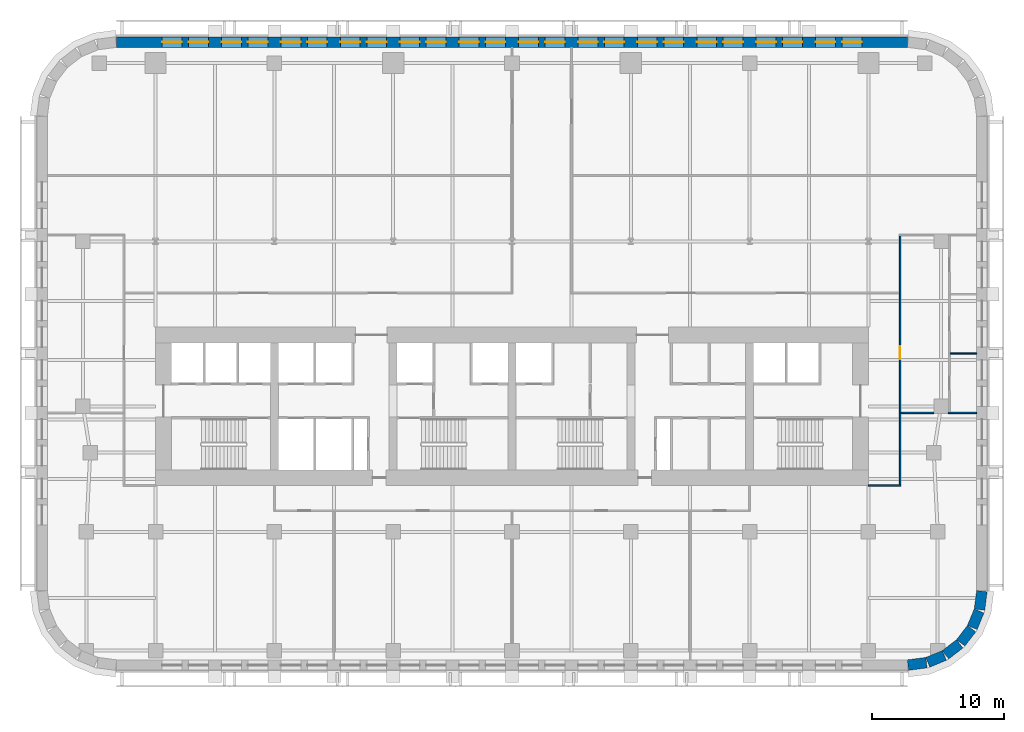
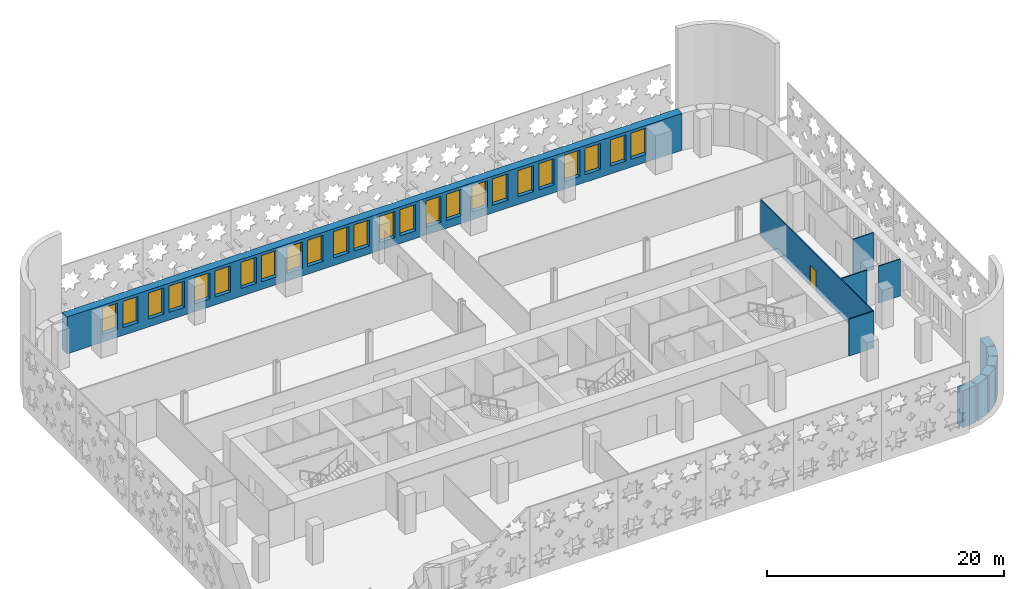
# One storey, part 8 of 15: 24 windows, 12 walls, 1 door, 25 openings.
"""IFC4 building model written with IfcOpenShell, lengths in metres."""

from ifc_helpers import new_model, si_unit, direction, frame, frame_2d, origin, place, context, subcontext, project, spatial, rectangle, extrude, material, layer, layer_set, type_object, element, fill, save


model = new_model("IFC4")

# Units and contexts
model_context = context("Model", 3, precision=1e-05, world=origin(), true_north=direction((0.0, 1.0)))
body_context = subcontext(model_context, "Body", "Model", "MODEL_VIEW")
ifc_project = project(units=[si_unit("LENGTHUNIT", "METRE"), si_unit("AREAUNIT", "SQUARE_METRE"), si_unit("VOLUMEUNIT", "CUBIC_METRE"), si_unit("PLANEANGLEUNIT", "RADIAN"), si_unit("MASSUNIT", "GRAM", prefix="KILO")], contexts=[model_context])

# Site, building, storey
site_placement = place(None, origin())
site = spatial("IfcSite", under=ifc_project, at=site_placement, CompositionType="ELEMENT")
building_placement = place(site_placement, origin())
building = spatial("IfcBuilding", under=site, at=building_placement, Name="Zellij Exchange Tower", CompositionType="ELEMENT")
storey_placement = place(building_placement, frame((0.0, 0.0, 76.5)))
storey = spatial("IfcBuildingStorey", under=building, at=storey_placement, Name="L15", CompositionType="ELEMENT", Elevation=76.5)

# Walls
ifc_material_1 = material(Name="Precast concrete C40/50", Category="concrete")
ifc_layer_1 = layer(ifc_material_1, 0.800048828125)
ifc_layer_set_1 = layer_set([ifc_layer_1], Name="Precast concrete C40/50")
wall_type_1 = type_object("IfcWallType", Name="ENV-EW1 Precast stone-piered wall 800", PredefinedType="SOLIDWALL", material=ifc_layer_set_1)
wall_1_placement = place(storey_placement, frame((29.999755859375, -27.5966796875, 0.0), z_axis=(0.0, 0.0, 1.0), x_axis=(0.99144603414, 0.130517283865, 0.0)))
element("IfcWall", 1, at=wall_1_placement, inside=storey, type_object=wall_type_1, Name="fac.L15.01", PredefinedType="SOLIDWALL", context=body_context, shape_type="SweptSolid", body=[
    extrude(rectangle(XDim=1.408447265625, YDim=0.800048828125, at=frame_2d((0.7041015625, 0.0))), origin(), (0.0, 0.0, 1.0), 3.800048828125),
])
wall_2_placement = place(storey_placement, frame((31.497314453125, -27.3857421875, 0.0), z_axis=(0.0, 0.0, 1.0), x_axis=(0.923847774587, 0.38276009378, 0.0)))
element("IfcWall", 2, at=wall_2_placement, inside=storey, type_object=wall_type_1, Name="fac.L15.02", PredefinedType="SOLIDWALL", context=body_context, shape_type="SweptSolid", body=[
    extrude(rectangle(XDim=1.35546875, YDim=0.800048828125, at=frame_2d((0.677734375, 0.0))), origin(), (0.0, 0.0, 1.0), 3.800048828125),
])
for number, where, z_axis, x_axis, name in (
    (3, (32.840087890625, -26.814697265625, 0.0), (0.0, 0.0, 1.0), (0.793272915452, 0.608866226366, 0.0), "fac.L15.03"),
    (4, (33.9892578125, -25.91552734375, 0.0), (0.0, 0.0, 1.0), (0.608866226366, 0.793272915452, 0.0), "fac.L15.04"),
):
    element("IfcWall", number, at=place(storey_placement, frame(where, z_axis=z_axis, x_axis=x_axis)), inside=storey, type_object=wall_type_1, Name=name, PredefinedType="SOLIDWALL", context=body_context, shape_type="SweptSolid", body=[
        extrude(rectangle(XDim=1.355712890625, YDim=0.800048828125, at=frame_2d((0.677734375, 0.0))), origin(), (0.0, 0.0, 1.0), 3.800048828125),
    ])
wall_3_placement = place(storey_placement, frame((34.866943359375, -24.74951171875, 0.0), z_axis=(0.0, 0.0, 1.0), x_axis=(0.38276009378, 0.923847774587, 0.0)))
element("IfcWall", 5, at=wall_3_placement, inside=storey, type_object=wall_type_1, Name="fac.L15.05", PredefinedType="SOLIDWALL", context=body_context, shape_type="SweptSolid", body=[
    extrude(rectangle(XDim=1.35546875, YDim=0.800048828125, at=frame_2d((0.677734375, 0.0))), origin(), (0.0, 0.0, 1.0), 3.800048828125),
])
wall_4_placement = place(storey_placement, frame((35.412841796875, -23.396240234375, 0.0), z_axis=(0.0, 0.0, 1.0), x_axis=(0.130517283865, 0.99144603414, 0.0)))
element("IfcWall", 6, at=wall_4_placement, inside=storey, type_object=wall_type_1, Name="fac.L15.06", PredefinedType="SOLIDWALL", context=body_context, shape_type="SweptSolid", body=[
    extrude(rectangle(XDim=1.408447265625, YDim=0.800048828125, at=frame_2d((0.7041015625, 0.0))), origin(), (0.0, 0.0, 1.0), 3.800048828125),
])

# Wall, openings, windows
wall_5_placement = place(storey_placement, frame((29.947509765625, 19.60009765625, 0.0), z_axis=(0.0, 0.0, 1.0), x_axis=(-1.0, 0.0, 0.0)))
wall_5 = element("IfcWall", 7, at=wall_5_placement, inside=storey, type_object=wall_type_1, Name="fac.L15.14", PredefinedType="SOLIDWALL", context=body_context, shape_type="SweptSolid", body=[
    extrude(rectangle(XDim=59.89501953125, YDim=0.800048828125, at=frame_2d((29.947509765625, 0.0))), origin(), (0.0, 0.0, 1.0), 3.800048828125),
])
opening_1_placement = place(wall_5_placement, frame((3.447509765625, 0.0, 0.800048828125)))
opening_1 = element("IfcOpeningElement", 8, at=opening_1_placement, cuts=wall_5, Name="Opening FZ1.37", PredefinedType="OPENING", context=body_context, shape_type="SweptSolid", body=[
    extrude(rectangle(XDim=1.5, YDim=2.699951171875, at=frame_2d((0.75, 1.35009765625))), frame((0.0, 0.412109375, 0.0), z_axis=(0.0, -1.0, 0.0), x_axis=(1.0, 0.0, 0.0)), (0.0, 0.0, 1.0), 0.823974609375),
])
opening_2_placement = place(wall_5_placement, frame((5.447509765625, 0.0, 0.800048828125)))
opening_2 = element("IfcOpeningElement", 9, at=opening_2_placement, cuts=wall_5, Name="Opening FZ1.38", PredefinedType="OPENING", context=body_context, shape_type="SweptSolid", body=[
    extrude(rectangle(XDim=1.5, YDim=2.699951171875, at=frame_2d((0.75, 1.35009765625))), frame((0.0, 0.412109375, 0.0), z_axis=(0.0, -1.0, 0.0), x_axis=(1.0, 0.0, 0.0)), (0.0, 0.0, 1.0), 0.823974609375),
])
opening_3_placement = place(wall_5_placement, frame((7.947509765625, 0.0, 0.800048828125)))
opening_3 = element("IfcOpeningElement", 10, at=opening_3_placement, cuts=wall_5, Name="Opening FZ1.39", PredefinedType="OPENING", context=body_context, shape_type="SweptSolid", body=[
    extrude(rectangle(XDim=1.5, YDim=2.699951171875, at=frame_2d((0.75, 1.35009765625))), frame((0.0, 0.412109375, 0.0), z_axis=(0.0, -1.0, 0.0), x_axis=(1.0, 0.0, 0.0)), (0.0, 0.0, 1.0), 0.823974609375),
])
opening_4_placement = place(wall_5_placement, frame((9.947509765625, 0.0, 0.800048828125)))
opening_4 = element("IfcOpeningElement", 11, at=opening_4_placement, cuts=wall_5, Name="Opening FZ1.40", PredefinedType="OPENING", context=body_context, shape_type="SweptSolid", body=[
    extrude(rectangle(XDim=1.5, YDim=2.699951171875, at=frame_2d((0.75, 1.35009765625))), frame((0.0, 0.412109375, 0.0), z_axis=(0.0, -1.0, 0.0), x_axis=(1.0, 0.0, 0.0)), (0.0, 0.0, 1.0), 0.823974609375),
])
opening_5_placement = place(wall_5_placement, frame((12.447509765625, 0.0, 0.800048828125)))
opening_5 = element("IfcOpeningElement", 12, at=opening_5_placement, cuts=wall_5, Name="Opening FZ1.41", PredefinedType="OPENING", context=body_context, shape_type="SweptSolid", body=[
    extrude(rectangle(XDim=1.5, YDim=2.699951171875, at=frame_2d((0.75, 1.35009765625))), frame((0.0, 0.412109375, 0.0), z_axis=(0.0, -1.0, 0.0), x_axis=(1.0, 0.0, 0.0)), (0.0, 0.0, 1.0), 0.823974609375),
])
opening_6_placement = place(wall_5_placement, frame((14.447509765625, 0.0, 0.800048828125)))
opening_6 = element("IfcOpeningElement", 13, at=opening_6_placement, cuts=wall_5, Name="Opening FZ1.42", PredefinedType="OPENING", context=body_context, shape_type="SweptSolid", body=[
    extrude(rectangle(XDim=1.5, YDim=2.699951171875, at=frame_2d((0.75, 1.35009765625))), frame((0.0, 0.412109375, 0.0), z_axis=(0.0, -1.0, 0.0), x_axis=(1.0, 0.0, 0.0)), (0.0, 0.0, 1.0), 0.823974609375),
])
opening_7_placement = place(wall_5_placement, frame((16.947509765625, 0.0, 0.800048828125)))
opening_7 = element("IfcOpeningElement", 14, at=opening_7_placement, cuts=wall_5, Name="Opening FZ1.43", PredefinedType="OPENING", context=body_context, shape_type="SweptSolid", body=[
    extrude(rectangle(XDim=1.5, YDim=2.699951171875, at=frame_2d((0.75, 1.35009765625))), frame((0.0, 0.412109375, 0.0), z_axis=(0.0, -1.0, 0.0), x_axis=(1.0, 0.0, 0.0)), (0.0, 0.0, 1.0), 0.823974609375),
])
opening_8_placement = place(wall_5_placement, frame((18.947509765625, 0.0, 0.800048828125)))
opening_8 = element("IfcOpeningElement", 15, at=opening_8_placement, cuts=wall_5, Name="Opening FZ1.44", PredefinedType="OPENING", context=body_context, shape_type="SweptSolid", body=[
    extrude(rectangle(XDim=1.5, YDim=2.699951171875, at=frame_2d((0.75, 1.35009765625))), frame((0.0, 0.412109375, 0.0), z_axis=(0.0, -1.0, 0.0), x_axis=(1.0, 0.0, 0.0)), (0.0, 0.0, 1.0), 0.823974609375),
])
opening_9_placement = place(wall_5_placement, frame((21.447509765625, 0.0, 0.800048828125)))
opening_9 = element("IfcOpeningElement", 16, at=opening_9_placement, cuts=wall_5, Name="Opening FZ1.45", PredefinedType="OPENING", context=body_context, shape_type="SweptSolid", body=[
    extrude(rectangle(XDim=1.5, YDim=2.699951171875, at=frame_2d((0.75, 1.35009765625))), frame((0.0, 0.412109375, 0.0), z_axis=(0.0, -1.0, 0.0), x_axis=(1.0, 0.0, 0.0)), (0.0, 0.0, 1.0), 0.823974609375),
])
opening_10_placement = place(wall_5_placement, frame((23.447509765625, 0.0, 0.800048828125)))
opening_10 = element("IfcOpeningElement", 17, at=opening_10_placement, cuts=wall_5, Name="Opening FZ1.46", PredefinedType="OPENING", context=body_context, shape_type="SweptSolid", body=[
    extrude(rectangle(XDim=1.5, YDim=2.699951171875, at=frame_2d((0.75, 1.35009765625))), frame((0.0, 0.412109375, 0.0), z_axis=(0.0, -1.0, 0.0), x_axis=(1.0, 0.0, 0.0)), (0.0, 0.0, 1.0), 0.823974609375),
])
opening_11_placement = place(wall_5_placement, frame((25.947509765625, 0.0, 0.800048828125)))
opening_11 = element("IfcOpeningElement", 18, at=opening_11_placement, cuts=wall_5, Name="Opening FZ1.47", PredefinedType="OPENING", context=body_context, shape_type="SweptSolid", body=[
    extrude(rectangle(XDim=1.5, YDim=2.699951171875, at=frame_2d((0.75, 1.35009765625))), frame((0.0, 0.412109375, 0.0), z_axis=(0.0, -1.0, 0.0), x_axis=(1.0, 0.0, 0.0)), (0.0, 0.0, 1.0), 0.823974609375),
])
opening_12_placement = place(wall_5_placement, frame((27.947509765625, 0.0, 0.800048828125)))
opening_12 = element("IfcOpeningElement", 19, at=opening_12_placement, cuts=wall_5, Name="Opening FZ1.48", PredefinedType="OPENING", context=body_context, shape_type="SweptSolid", body=[
    extrude(rectangle(XDim=1.5, YDim=2.699951171875, at=frame_2d((0.75, 1.35009765625))), frame((0.0, 0.412109375, 0.0), z_axis=(0.0, -1.0, 0.0), x_axis=(1.0, 0.0, 0.0)), (0.0, 0.0, 1.0), 0.823974609375),
])
opening_13_placement = place(wall_5_placement, frame((30.447509765625, 0.0, 0.800048828125)))
opening_13 = element("IfcOpeningElement", 20, at=opening_13_placement, cuts=wall_5, Name="Opening FZ1.49", PredefinedType="OPENING", context=body_context, shape_type="SweptSolid", body=[
    extrude(rectangle(XDim=1.5, YDim=2.699951171875, at=frame_2d((0.75, 1.35009765625))), frame((0.0, 0.412109375, 0.0), z_axis=(0.0, -1.0, 0.0), x_axis=(1.0, 0.0, 0.0)), (0.0, 0.0, 1.0), 0.823974609375),
])
opening_14_placement = place(wall_5_placement, frame((32.447509765625, 0.0, 0.800048828125)))
opening_14 = element("IfcOpeningElement", 21, at=opening_14_placement, cuts=wall_5, Name="Opening FZ1.50", PredefinedType="OPENING", context=body_context, shape_type="SweptSolid", body=[
    extrude(rectangle(XDim=1.5, YDim=2.699951171875, at=frame_2d((0.75, 1.35009765625))), frame((0.0, 0.412109375, 0.0), z_axis=(0.0, -1.0, 0.0), x_axis=(1.0, 0.0, 0.0)), (0.0, 0.0, 1.0), 0.823974609375),
])
opening_15_placement = place(wall_5_placement, frame((34.947509765625, 0.0, 0.800048828125)))
opening_15 = element("IfcOpeningElement", 22, at=opening_15_placement, cuts=wall_5, Name="Opening FZ1.51", PredefinedType="OPENING", context=body_context, shape_type="SweptSolid", body=[
    extrude(rectangle(XDim=1.5, YDim=2.699951171875, at=frame_2d((0.75, 1.35009765625))), frame((0.0, 0.412109375, 0.0), z_axis=(0.0, -1.0, 0.0), x_axis=(1.0, 0.0, 0.0)), (0.0, 0.0, 1.0), 0.823974609375),
])
opening_16_placement = place(wall_5_placement, frame((36.947509765625, 0.0, 0.800048828125)))
opening_16 = element("IfcOpeningElement", 23, at=opening_16_placement, cuts=wall_5, Name="Opening FZ1.52", PredefinedType="OPENING", context=body_context, shape_type="SweptSolid", body=[
    extrude(rectangle(XDim=1.5, YDim=2.699951171875, at=frame_2d((0.75, 1.35009765625))), frame((0.0, 0.412109375, 0.0), z_axis=(0.0, -1.0, 0.0), x_axis=(1.0, 0.0, 0.0)), (0.0, 0.0, 1.0), 0.823974609375),
])
opening_17_placement = place(wall_5_placement, frame((39.447509765625, 0.0, 0.800048828125)))
opening_17 = element("IfcOpeningElement", 24, at=opening_17_placement, cuts=wall_5, Name="Opening FZ1.53", PredefinedType="OPENING", context=body_context, shape_type="SweptSolid", body=[
    extrude(rectangle(XDim=1.5, YDim=2.699951171875, at=frame_2d((0.75, 1.35009765625))), frame((0.0, 0.412109375, 0.0), z_axis=(0.0, -1.0, 0.0), x_axis=(1.0, 0.0, 0.0)), (0.0, 0.0, 1.0), 0.823974609375),
])
opening_18_placement = place(wall_5_placement, frame((41.447509765625, 0.0, 0.800048828125)))
opening_18 = element("IfcOpeningElement", 25, at=opening_18_placement, cuts=wall_5, Name="Opening FZ1.54", PredefinedType="OPENING", context=body_context, shape_type="SweptSolid", body=[
    extrude(rectangle(XDim=1.5, YDim=2.699951171875, at=frame_2d((0.75, 1.35009765625))), frame((0.0, 0.412109375, 0.0), z_axis=(0.0, -1.0, 0.0), x_axis=(1.0, 0.0, 0.0)), (0.0, 0.0, 1.0), 0.823974609375),
])
opening_19_placement = place(wall_5_placement, frame((43.947509765625, 0.0, 0.800048828125)))
opening_19 = element("IfcOpeningElement", 26, at=opening_19_placement, cuts=wall_5, Name="Opening FZ1.55", PredefinedType="OPENING", context=body_context, shape_type="SweptSolid", body=[
    extrude(rectangle(XDim=1.5, YDim=2.699951171875, at=frame_2d((0.75, 1.35009765625))), frame((0.0, 0.412109375, 0.0), z_axis=(0.0, -1.0, 0.0), x_axis=(1.0, 0.0, 0.0)), (0.0, 0.0, 1.0), 0.823974609375),
])
opening_20_placement = place(wall_5_placement, frame((45.947509765625, 0.0, 0.800048828125)))
opening_20 = element("IfcOpeningElement", 27, at=opening_20_placement, cuts=wall_5, Name="Opening FZ1.56", PredefinedType="OPENING", context=body_context, shape_type="SweptSolid", body=[
    extrude(rectangle(XDim=1.5, YDim=2.699951171875, at=frame_2d((0.75, 1.35009765625))), frame((0.0, 0.412109375, 0.0), z_axis=(0.0, -1.0, 0.0), x_axis=(1.0, 0.0, 0.0)), (0.0, 0.0, 1.0), 0.823974609375),
])
opening_21_placement = place(wall_5_placement, frame((48.447509765625, 0.0, 0.800048828125)))
opening_21 = element("IfcOpeningElement", 28, at=opening_21_placement, cuts=wall_5, Name="Opening FZ1.57", PredefinedType="OPENING", context=body_context, shape_type="SweptSolid", body=[
    extrude(rectangle(XDim=1.5, YDim=2.699951171875, at=frame_2d((0.75, 1.35009765625))), frame((0.0, 0.412109375, 0.0), z_axis=(0.0, -1.0, 0.0), x_axis=(1.0, 0.0, 0.0)), (0.0, 0.0, 1.0), 0.823974609375),
])
opening_22_placement = place(wall_5_placement, frame((50.447509765625, 0.0, 0.800048828125)))
opening_22 = element("IfcOpeningElement", 29, at=opening_22_placement, cuts=wall_5, Name="Opening FZ1.58", PredefinedType="OPENING", context=body_context, shape_type="SweptSolid", body=[
    extrude(rectangle(XDim=1.5, YDim=2.699951171875, at=frame_2d((0.75, 1.35009765625))), frame((0.0, 0.412109375, 0.0), z_axis=(0.0, -1.0, 0.0), x_axis=(1.0, 0.0, 0.0)), (0.0, 0.0, 1.0), 0.823974609375),
])
opening_23_placement = place(wall_5_placement, frame((52.947509765625, 0.0, 0.800048828125)))
opening_23 = element("IfcOpeningElement", 30, at=opening_23_placement, cuts=wall_5, Name="Opening FZ1.59", PredefinedType="OPENING", context=body_context, shape_type="SweptSolid", body=[
    extrude(rectangle(XDim=1.5, YDim=2.699951171875, at=frame_2d((0.75, 1.35009765625))), frame((0.0, 0.412109375, 0.0), z_axis=(0.0, -1.0, 0.0), x_axis=(1.0, 0.0, 0.0)), (0.0, 0.0, 1.0), 0.823974609375),
])
opening_24_placement = place(wall_5_placement, frame((54.947509765625, 0.0, 0.800048828125)))
opening_24 = element("IfcOpeningElement", 31, at=opening_24_placement, cuts=wall_5, Name="Opening FZ1.60", PredefinedType="OPENING", context=body_context, shape_type="SweptSolid", body=[
    extrude(rectangle(XDim=1.5, YDim=2.699951171875, at=frame_2d((0.75, 1.35009765625))), frame((0.0, 0.412109375, 0.0), z_axis=(0.0, -1.0, 0.0), x_axis=(1.0, 0.0, 0.0)), (0.0, 0.0, 1.0), 0.823974609375),
])
ifc_material_2 = material(Name="Aluminium frame with insulating glass", Category="aluminium")
window_type = type_object("IfcWindowType", Name="ENV-W6 Window 1500x2700", PartitioningType="SINGLE_PANEL", PredefinedType="WINDOW", material=ifc_material_2)
window_1_placement = place(opening_1_placement, origin())
window_1 = element("IfcWindow", 32, at=window_1_placement, inside=storey, type_object=window_type, Name="Window FZ1.37", OverallHeight=2.699951171875, OverallWidth=1.5, PartitioningType="SINGLE_PANEL", PredefinedType="WINDOW", context=body_context, shape_type="SweptSolid", body=[
    extrude(rectangle(XDim=1.5, YDim=2.699951171875, at=frame_2d((0.75, 1.35009765625))), frame((0.0, 0.030029296875, 0.0), z_axis=(0.0, -1.0, 0.0), x_axis=(1.0, 0.0, 0.0)), (0.0, 0.0, 1.0), 0.06005859375),
])
fill(opening_1, window_1)
window_2_placement = place(opening_2_placement, origin())
window_2 = element("IfcWindow", 33, at=window_2_placement, inside=storey, type_object=window_type, Name="Window FZ1.38", OverallHeight=2.699951171875, OverallWidth=1.5, PartitioningType="SINGLE_PANEL", PredefinedType="WINDOW", context=body_context, shape_type="SweptSolid", body=[
    extrude(rectangle(XDim=1.5, YDim=2.699951171875, at=frame_2d((0.75, 1.35009765625))), frame((0.0, 0.030029296875, 0.0), z_axis=(0.0, -1.0, 0.0), x_axis=(1.0, 0.0, 0.0)), (0.0, 0.0, 1.0), 0.06005859375),
])
fill(opening_2, window_2)
window_3_placement = place(opening_3_placement, origin())
window_3 = element("IfcWindow", 34, at=window_3_placement, inside=storey, type_object=window_type, Name="Window FZ1.39", OverallHeight=2.699951171875, OverallWidth=1.5, PartitioningType="SINGLE_PANEL", PredefinedType="WINDOW", context=body_context, shape_type="SweptSolid", body=[
    extrude(rectangle(XDim=1.5, YDim=2.699951171875, at=frame_2d((0.75, 1.35009765625))), frame((0.0, 0.030029296875, 0.0), z_axis=(0.0, -1.0, 0.0), x_axis=(1.0, 0.0, 0.0)), (0.0, 0.0, 1.0), 0.06005859375),
])
fill(opening_3, window_3)
window_4_placement = place(opening_4_placement, origin())
window_4 = element("IfcWindow", 35, at=window_4_placement, inside=storey, type_object=window_type, Name="Window FZ1.40", OverallHeight=2.699951171875, OverallWidth=1.5, PartitioningType="SINGLE_PANEL", PredefinedType="WINDOW", context=body_context, shape_type="SweptSolid", body=[
    extrude(rectangle(XDim=1.5, YDim=2.699951171875, at=frame_2d((0.75, 1.35009765625))), frame((0.0, 0.030029296875, 0.0), z_axis=(0.0, -1.0, 0.0), x_axis=(1.0, 0.0, 0.0)), (0.0, 0.0, 1.0), 0.06005859375),
])
fill(opening_4, window_4)
window_5_placement = place(opening_5_placement, origin())
window_5 = element("IfcWindow", 36, at=window_5_placement, inside=storey, type_object=window_type, Name="Window FZ1.41", OverallHeight=2.699951171875, OverallWidth=1.5, PartitioningType="SINGLE_PANEL", PredefinedType="WINDOW", context=body_context, shape_type="SweptSolid", body=[
    extrude(rectangle(XDim=1.5, YDim=2.699951171875, at=frame_2d((0.75, 1.35009765625))), frame((0.0, 0.030029296875, 0.0), z_axis=(0.0, -1.0, 0.0), x_axis=(1.0, 0.0, 0.0)), (0.0, 0.0, 1.0), 0.06005859375),
])
fill(opening_5, window_5)
window_6_placement = place(opening_6_placement, origin())
window_6 = element("IfcWindow", 37, at=window_6_placement, inside=storey, type_object=window_type, Name="Window FZ1.42", OverallHeight=2.699951171875, OverallWidth=1.5, PartitioningType="SINGLE_PANEL", PredefinedType="WINDOW", context=body_context, shape_type="SweptSolid", body=[
    extrude(rectangle(XDim=1.5, YDim=2.699951171875, at=frame_2d((0.75, 1.35009765625))), frame((0.0, 0.030029296875, 0.0), z_axis=(0.0, -1.0, 0.0), x_axis=(1.0, 0.0, 0.0)), (0.0, 0.0, 1.0), 0.06005859375),
])
fill(opening_6, window_6)
window_7_placement = place(opening_7_placement, origin())
window_7 = element("IfcWindow", 38, at=window_7_placement, inside=storey, type_object=window_type, Name="Window FZ1.43", OverallHeight=2.699951171875, OverallWidth=1.5, PartitioningType="SINGLE_PANEL", PredefinedType="WINDOW", context=body_context, shape_type="SweptSolid", body=[
    extrude(rectangle(XDim=1.5, YDim=2.699951171875, at=frame_2d((0.75, 1.35009765625))), frame((0.0, 0.030029296875, 0.0), z_axis=(0.0, -1.0, 0.0), x_axis=(1.0, 0.0, 0.0)), (0.0, 0.0, 1.0), 0.06005859375),
])
fill(opening_7, window_7)
window_8_placement = place(opening_8_placement, origin())
window_8 = element("IfcWindow", 39, at=window_8_placement, inside=storey, type_object=window_type, Name="Window FZ1.44", OverallHeight=2.699951171875, OverallWidth=1.5, PartitioningType="SINGLE_PANEL", PredefinedType="WINDOW", context=body_context, shape_type="SweptSolid", body=[
    extrude(rectangle(XDim=1.5, YDim=2.699951171875, at=frame_2d((0.75, 1.35009765625))), frame((0.0, 0.030029296875, 0.0), z_axis=(0.0, -1.0, 0.0), x_axis=(1.0, 0.0, 0.0)), (0.0, 0.0, 1.0), 0.06005859375),
])
fill(opening_8, window_8)
window_9_placement = place(opening_9_placement, origin())
window_9 = element("IfcWindow", 40, at=window_9_placement, inside=storey, type_object=window_type, Name="Window FZ1.45", OverallHeight=2.699951171875, OverallWidth=1.5, PartitioningType="SINGLE_PANEL", PredefinedType="WINDOW", context=body_context, shape_type="SweptSolid", body=[
    extrude(rectangle(XDim=1.5, YDim=2.699951171875, at=frame_2d((0.75, 1.35009765625))), frame((0.0, 0.030029296875, 0.0), z_axis=(0.0, -1.0, 0.0), x_axis=(1.0, 0.0, 0.0)), (0.0, 0.0, 1.0), 0.06005859375),
])
fill(opening_9, window_9)
window_10_placement = place(opening_10_placement, origin())
window_10 = element("IfcWindow", 41, at=window_10_placement, inside=storey, type_object=window_type, Name="Window FZ1.46", OverallHeight=2.699951171875, OverallWidth=1.5, PartitioningType="SINGLE_PANEL", PredefinedType="WINDOW", context=body_context, shape_type="SweptSolid", body=[
    extrude(rectangle(XDim=1.5, YDim=2.699951171875, at=frame_2d((0.75, 1.35009765625))), frame((0.0, 0.030029296875, 0.0), z_axis=(0.0, -1.0, 0.0), x_axis=(1.0, 0.0, 0.0)), (0.0, 0.0, 1.0), 0.06005859375),
])
fill(opening_10, window_10)
window_11_placement = place(opening_11_placement, origin())
window_11 = element("IfcWindow", 42, at=window_11_placement, inside=storey, type_object=window_type, Name="Window FZ1.47", OverallHeight=2.699951171875, OverallWidth=1.5, PartitioningType="SINGLE_PANEL", PredefinedType="WINDOW", context=body_context, shape_type="SweptSolid", body=[
    extrude(rectangle(XDim=1.5, YDim=2.699951171875, at=frame_2d((0.75, 1.35009765625))), frame((0.0, 0.030029296875, 0.0), z_axis=(0.0, -1.0, 0.0), x_axis=(1.0, 0.0, 0.0)), (0.0, 0.0, 1.0), 0.06005859375),
])
fill(opening_11, window_11)
window_12_placement = place(opening_12_placement, origin())
window_12 = element("IfcWindow", 43, at=window_12_placement, inside=storey, type_object=window_type, Name="Window FZ1.48", OverallHeight=2.699951171875, OverallWidth=1.5, PartitioningType="SINGLE_PANEL", PredefinedType="WINDOW", context=body_context, shape_type="SweptSolid", body=[
    extrude(rectangle(XDim=1.5, YDim=2.699951171875, at=frame_2d((0.75, 1.35009765625))), frame((0.0, 0.030029296875, 0.0), z_axis=(0.0, -1.0, 0.0), x_axis=(1.0, 0.0, 0.0)), (0.0, 0.0, 1.0), 0.06005859375),
])
fill(opening_12, window_12)
window_13_placement = place(opening_13_placement, origin())
window_13 = element("IfcWindow", 44, at=window_13_placement, inside=storey, type_object=window_type, Name="Window FZ1.49", OverallHeight=2.699951171875, OverallWidth=1.5, PartitioningType="SINGLE_PANEL", PredefinedType="WINDOW", context=body_context, shape_type="SweptSolid", body=[
    extrude(rectangle(XDim=1.5, YDim=2.699951171875, at=frame_2d((0.75, 1.35009765625))), frame((0.0, 0.030029296875, 0.0), z_axis=(0.0, -1.0, 0.0), x_axis=(1.0, 0.0, 0.0)), (0.0, 0.0, 1.0), 0.06005859375),
])
fill(opening_13, window_13)
window_14_placement = place(opening_14_placement, origin())
window_14 = element("IfcWindow", 45, at=window_14_placement, inside=storey, type_object=window_type, Name="Window FZ1.50", OverallHeight=2.699951171875, OverallWidth=1.5, PartitioningType="SINGLE_PANEL", PredefinedType="WINDOW", context=body_context, shape_type="SweptSolid", body=[
    extrude(rectangle(XDim=1.5, YDim=2.699951171875, at=frame_2d((0.75, 1.35009765625))), frame((0.0, 0.030029296875, 0.0), z_axis=(0.0, -1.0, 0.0), x_axis=(1.0, 0.0, 0.0)), (0.0, 0.0, 1.0), 0.06005859375),
])
fill(opening_14, window_14)
window_15_placement = place(opening_15_placement, origin())
window_15 = element("IfcWindow", 46, at=window_15_placement, inside=storey, type_object=window_type, Name="Window FZ1.51", OverallHeight=2.699951171875, OverallWidth=1.5, PartitioningType="SINGLE_PANEL", PredefinedType="WINDOW", context=body_context, shape_type="SweptSolid", body=[
    extrude(rectangle(XDim=1.5, YDim=2.699951171875, at=frame_2d((0.75, 1.35009765625))), frame((0.0, 0.030029296875, 0.0), z_axis=(0.0, -1.0, 0.0), x_axis=(1.0, 0.0, 0.0)), (0.0, 0.0, 1.0), 0.06005859375),
])
fill(opening_15, window_15)
window_16_placement = place(opening_16_placement, origin())
window_16 = element("IfcWindow", 47, at=window_16_placement, inside=storey, type_object=window_type, Name="Window FZ1.52", OverallHeight=2.699951171875, OverallWidth=1.5, PartitioningType="SINGLE_PANEL", PredefinedType="WINDOW", context=body_context, shape_type="SweptSolid", body=[
    extrude(rectangle(XDim=1.5, YDim=2.699951171875, at=frame_2d((0.75, 1.35009765625))), frame((0.0, 0.030029296875, 0.0), z_axis=(0.0, -1.0, 0.0), x_axis=(1.0, 0.0, 0.0)), (0.0, 0.0, 1.0), 0.06005859375),
])
fill(opening_16, window_16)
window_17_placement = place(opening_17_placement, origin())
window_17 = element("IfcWindow", 48, at=window_17_placement, inside=storey, type_object=window_type, Name="Window FZ1.53", OverallHeight=2.699951171875, OverallWidth=1.5, PartitioningType="SINGLE_PANEL", PredefinedType="WINDOW", context=body_context, shape_type="SweptSolid", body=[
    extrude(rectangle(XDim=1.5, YDim=2.699951171875, at=frame_2d((0.75, 1.35009765625))), frame((0.0, 0.030029296875, 0.0), z_axis=(0.0, -1.0, 0.0), x_axis=(1.0, 0.0, 0.0)), (0.0, 0.0, 1.0), 0.06005859375),
])
fill(opening_17, window_17)
window_18_placement = place(opening_18_placement, origin())
window_18 = element("IfcWindow", 49, at=window_18_placement, inside=storey, type_object=window_type, Name="Window FZ1.54", OverallHeight=2.699951171875, OverallWidth=1.5, PartitioningType="SINGLE_PANEL", PredefinedType="WINDOW", context=body_context, shape_type="SweptSolid", body=[
    extrude(rectangle(XDim=1.5, YDim=2.699951171875, at=frame_2d((0.75, 1.35009765625))), frame((0.0, 0.030029296875, 0.0), z_axis=(0.0, -1.0, 0.0), x_axis=(1.0, 0.0, 0.0)), (0.0, 0.0, 1.0), 0.06005859375),
])
fill(opening_18, window_18)
window_19_placement = place(opening_19_placement, origin())
window_19 = element("IfcWindow", 50, at=window_19_placement, inside=storey, type_object=window_type, Name="Window FZ1.55", OverallHeight=2.699951171875, OverallWidth=1.5, PartitioningType="SINGLE_PANEL", PredefinedType="WINDOW", context=body_context, shape_type="SweptSolid", body=[
    extrude(rectangle(XDim=1.5, YDim=2.699951171875, at=frame_2d((0.75, 1.35009765625))), frame((0.0, 0.030029296875, 0.0), z_axis=(0.0, -1.0, 0.0), x_axis=(1.0, 0.0, 0.0)), (0.0, 0.0, 1.0), 0.06005859375),
])
fill(opening_19, window_19)
window_20_placement = place(opening_20_placement, origin())
window_20 = element("IfcWindow", 51, at=window_20_placement, inside=storey, type_object=window_type, Name="Window FZ1.56", OverallHeight=2.699951171875, OverallWidth=1.5, PartitioningType="SINGLE_PANEL", PredefinedType="WINDOW", context=body_context, shape_type="SweptSolid", body=[
    extrude(rectangle(XDim=1.5, YDim=2.699951171875, at=frame_2d((0.75, 1.35009765625))), frame((0.0, 0.030029296875, 0.0), z_axis=(0.0, -1.0, 0.0), x_axis=(1.0, 0.0, 0.0)), (0.0, 0.0, 1.0), 0.06005859375),
])
fill(opening_20, window_20)
window_21_placement = place(opening_21_placement, origin())
window_21 = element("IfcWindow", 52, at=window_21_placement, inside=storey, type_object=window_type, Name="Window FZ1.57", OverallHeight=2.699951171875, OverallWidth=1.5, PartitioningType="SINGLE_PANEL", PredefinedType="WINDOW", context=body_context, shape_type="SweptSolid", body=[
    extrude(rectangle(XDim=1.5, YDim=2.699951171875, at=frame_2d((0.75, 1.35009765625))), frame((0.0, 0.030029296875, 0.0), z_axis=(0.0, -1.0, 0.0), x_axis=(1.0, 0.0, 0.0)), (0.0, 0.0, 1.0), 0.06005859375),
])
fill(opening_21, window_21)
window_22_placement = place(opening_22_placement, origin())
window_22 = element("IfcWindow", 53, at=window_22_placement, inside=storey, type_object=window_type, Name="Window FZ1.58", OverallHeight=2.699951171875, OverallWidth=1.5, PartitioningType="SINGLE_PANEL", PredefinedType="WINDOW", context=body_context, shape_type="SweptSolid", body=[
    extrude(rectangle(XDim=1.5, YDim=2.699951171875, at=frame_2d((0.75, 1.35009765625))), frame((0.0, 0.030029296875, 0.0), z_axis=(0.0, -1.0, 0.0), x_axis=(1.0, 0.0, 0.0)), (0.0, 0.0, 1.0), 0.06005859375),
])
fill(opening_22, window_22)
window_23_placement = place(opening_23_placement, origin())
window_23 = element("IfcWindow", 54, at=window_23_placement, inside=storey, type_object=window_type, Name="Window FZ1.59", OverallHeight=2.699951171875, OverallWidth=1.5, PartitioningType="SINGLE_PANEL", PredefinedType="WINDOW", context=body_context, shape_type="SweptSolid", body=[
    extrude(rectangle(XDim=1.5, YDim=2.699951171875, at=frame_2d((0.75, 1.35009765625))), frame((0.0, 0.030029296875, 0.0), z_axis=(0.0, -1.0, 0.0), x_axis=(1.0, 0.0, 0.0)), (0.0, 0.0, 1.0), 0.06005859375),
])
fill(opening_23, window_23)
window_24_placement = place(opening_24_placement, origin())
window_24 = element("IfcWindow", 55, at=window_24_placement, inside=storey, type_object=window_type, Name="Window FZ1.60", OverallHeight=2.699951171875, OverallWidth=1.5, PartitioningType="SINGLE_PANEL", PredefinedType="WINDOW", context=body_context, shape_type="SweptSolid", body=[
    extrude(rectangle(XDim=1.5, YDim=2.699951171875, at=frame_2d((0.75, 1.35009765625))), frame((0.0, 0.030029296875, 0.0), z_axis=(0.0, -1.0, 0.0), x_axis=(1.0, 0.0, 0.0)), (0.0, 0.0, 1.0), 0.06005859375),
])
fill(opening_24, window_24)

# Wall
ifc_material_3 = material(Name="Gypsum board partition on steel studs", Category="steel")
ifc_layer_2 = layer(ifc_material_3, 0.10009765625)
ifc_layer_set_2 = layer_set([ifc_layer_2], Name="Gypsum board partition on steel studs")
wall_type_2 = type_object("IfcWallType", Name="FIT-PARTITION-100", PredefinedType="PARTITIONING", material=ifc_layer_set_2)
wall_6_placement = place(storey_placement, frame((27.0, -14.0, 0.0), z_axis=(0.0, 0.0, 1.0), x_axis=(1.0, 0.0, 0.0)))
element("IfcWall", 56, at=wall_6_placement, inside=storey, type_object=wall_type_2, Name="FIT-PARTITION-100 012", PredefinedType="PARTITIONING", context=body_context, shape_type="SweptSolid", body=[
    extrude(rectangle(XDim=2.449951171875, YDim=0.10009765625, at=frame_2d((1.22509765625, 0.0))), origin(), (0.0, 0.0, 1.0), 3.800048828125),
])

# Wall, opening, door
wall_7_placement = place(storey_placement, frame((29.39990234375, -13.949951171875, 0.0), z_axis=(0.0, 0.0, 1.0), x_axis=(0.0, 1.0, 0.0)))
wall_7 = element("IfcWall", 57, at=wall_7_placement, inside=storey, type_object=wall_type_2, Name="FIT-PARTITION-100 013", PredefinedType="PARTITIONING", context=body_context, shape_type="SweptSolid", body=[
    extrude(rectangle(XDim=18.889892578125, YDim=0.10009765625, at=frame_2d((9.44482421875, 0.0))), origin(), (0.0, 0.0, 1.0), 3.800048828125),
])
opening_25_placement = place(wall_7_placement, frame((9.510009765625, 0.0, 0.0)))
opening_25 = element("IfcOpeningElement", 58, at=opening_25_placement, cuts=wall_7, Name="Opening TC.07", PredefinedType="OPENING", context=body_context, shape_type="SweptSolid", body=[
    extrude(rectangle(XDim=1.0, YDim=2.10009765625, at=frame_2d((0.5, 1.050048828125))), frame((0.0, 0.06201171875, 0.0), z_axis=(0.0, -1.0, 0.0), x_axis=(1.0, 0.0, 0.0)), (0.0, 0.0, 1.0), 0.1240234375),
])
ifc_material_4 = material(Name="Timber door set", Category="wood")
door_type = type_object("IfcDoorType", Name="FIT-D2-WIDE-1000X2100", OperationType="SINGLE_SWING_LEFT", PredefinedType="DOOR", material=ifc_material_4)
door_placement = place(opening_25_placement, origin())
door = element("IfcDoor", 59, at=door_placement, inside=storey, type_object=door_type, Name="Door TC.07", OperationType="SINGLE_SWING_LEFT", OverallHeight=2.10009765625, OverallWidth=1.0, PredefinedType="DOOR", context=body_context, shape_type="SweptSolid", body=[
    extrude(rectangle(XDim=1.0, YDim=2.10009765625, at=frame_2d((0.5, 1.050048828125))), frame((0.0, 0.02490234375, 0.0), z_axis=(0.0, -1.0, 0.0), x_axis=(1.0, 0.0, 0.0)), (0.0, 0.0, 1.0), 0.050048828125),
])
fill(opening_25, door)

# Walls
wall_8_placement = place(storey_placement, frame((29.449951171875, -8.489990234375, 0.0), z_axis=(0.0, 0.0, 1.0), x_axis=(1.0, 0.0, 0.0)))
element("IfcWall", 60, at=wall_8_placement, inside=storey, type_object=wall_type_2, Name="FIT-PARTITION-100 016", PredefinedType="PARTITIONING", context=body_context, shape_type="SweptSolid", body=[
    extrude(rectangle(XDim=2.5, YDim=0.10009765625, at=frame_2d((1.25, 0.0))), origin(), (0.0, 0.0, 1.0), 3.800048828125),
])
wall_9_placement = place(storey_placement, frame((33.050048828125, -8.489990234375, 0.0), z_axis=(0.0, 0.0, 1.0), x_axis=(1.0, 0.0, 0.0)))
element("IfcWall", 61, at=wall_9_placement, inside=storey, type_object=wall_type_2, Name="FIT-PARTITION-100 017", PredefinedType="PARTITIONING", context=body_context, shape_type="SweptSolid", body=[
    extrude(rectangle(XDim=2.14990234375, YDim=0.10009765625, at=frame_2d((1.074951171875, 0.0))), origin(), (0.0, 0.0, 1.0), 3.800048828125),
])
wall_10_placement = place(storey_placement, frame((33.199951171875, -4.0, 0.0), z_axis=(0.0, 0.0, 1.0), x_axis=(1.0, 0.0, 0.0)))
element("IfcWall", 62, at=wall_10_placement, inside=storey, type_object=wall_type_2, Name="FIT-PARTITION-100 019", PredefinedType="PARTITIONING", context=body_context, shape_type="SweptSolid", body=[
    extrude(rectangle(XDim=2.0, YDim=0.10009765625, at=frame_2d((1.0, 0.0))), origin(), (0.0, 0.0, 1.0), 3.800048828125),
])

save(model, "model.ifc")
